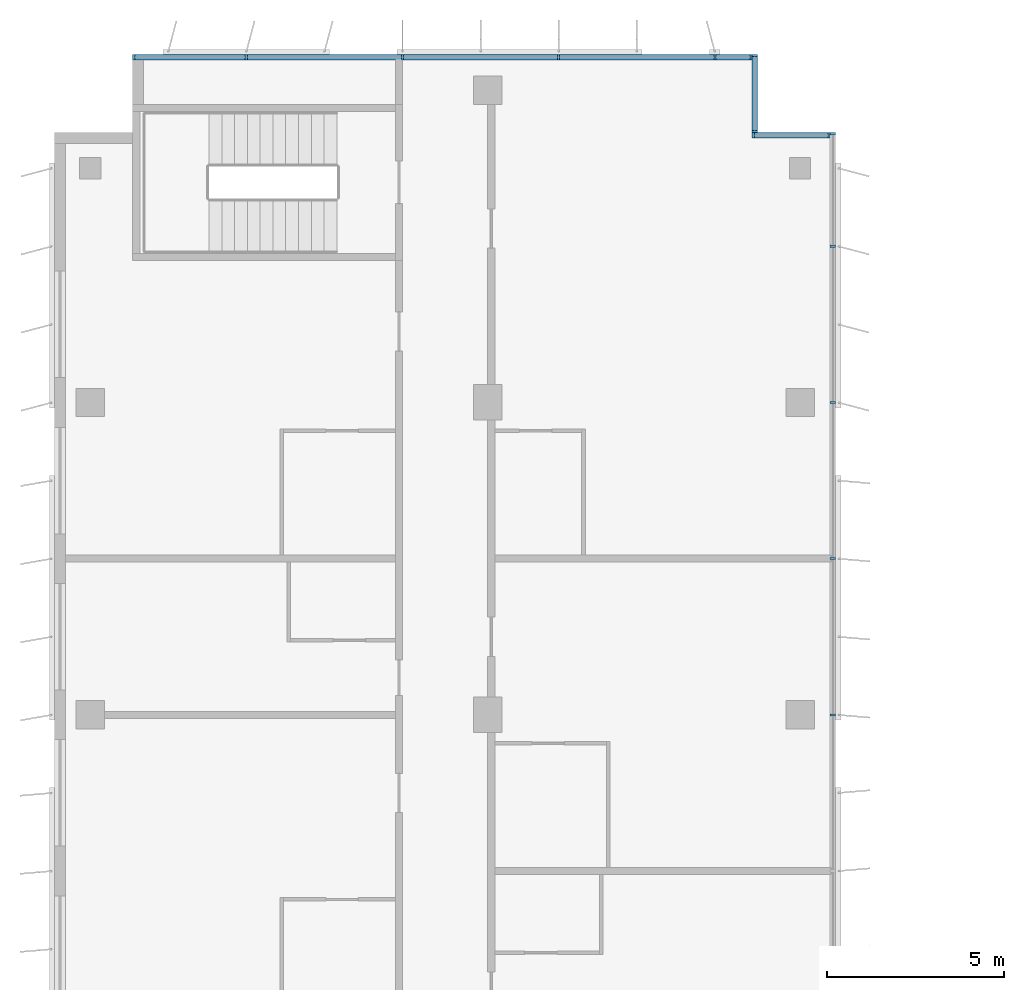
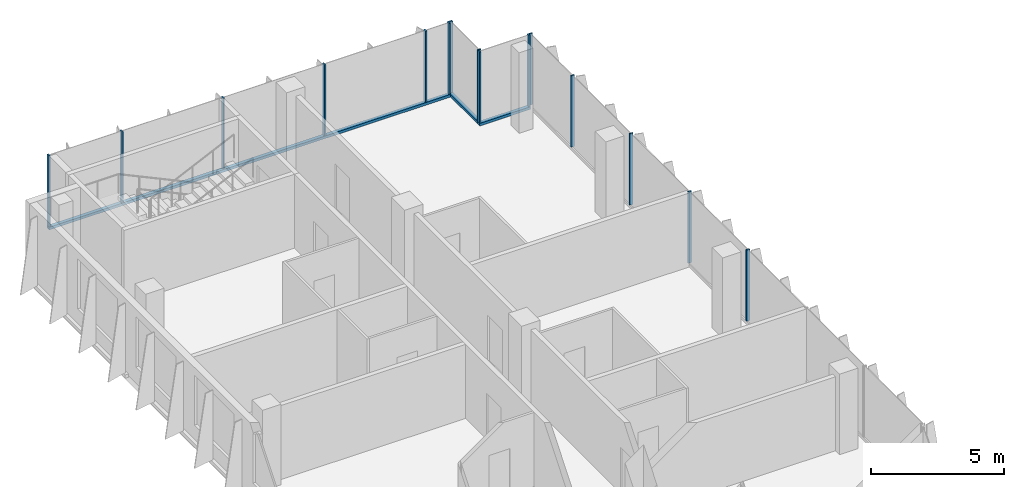
# One storey, part 6 of 15: 18 members, 4 elements without a shape of their own.
"""IFC4 building model written with IfcOpenShell, lengths in metres."""

from ifc_helpers import new_model, si_unit, direction, frame, origin, origin_2d, place, context, subcontext, project, spatial, rectangle, extrude, source, transform, mapped, material, material_profile, profile_set, type_object, element, aggregate, save


model = new_model("IFC4")

# Units and contexts
model_context = context("Model", 3, precision=1e-05, world=origin(), true_north=direction((0.0, 1.0)))
body_context = subcontext(model_context, "Body", "Model", "MODEL_VIEW")
ifc_project = project(units=[si_unit("LENGTHUNIT", "METRE"), si_unit("AREAUNIT", "SQUARE_METRE"), si_unit("VOLUMEUNIT", "CUBIC_METRE"), si_unit("PLANEANGLEUNIT", "RADIAN"), si_unit("MASSUNIT", "GRAM", prefix="KILO")], contexts=[model_context])

# Site, building, storey
site_placement = place(None, origin())
site = spatial("IfcSite", under=ifc_project, at=site_placement, CompositionType="ELEMENT")
building_placement = place(site_placement, origin())
building = spatial("IfcBuilding", under=site, at=building_placement, Name="Kemantara Hotel Tower", CompositionType="ELEMENT")
storey_placement = place(building_placement, frame((0.0, 0.0, 268.5)))
storey = spatial("IfcBuildingStorey", under=building, at=storey_placement, Name="L67", CompositionType="ELEMENT", Elevation=268.5)

# Curtain wall, member
ifc_material_1 = material(Name="Low-E tinted double insulated glass 36 mm", Category="glass")
curtain_wall_type = type_object("IfcCurtainWallType", Name="TOWER CURTAIN WALL, FRONT FACES", PredefinedType="USERDEFINED", material=ifc_material_1)
curtain_wall_1_placement = place(storey_placement, origin())
curtain_wall_1 = element("IfcCurtainWall", 1, at=curtain_wall_1_placement, inside=storey, type_object=curtain_wall_type, Name="CW4 L67 T4-R02-1", ObjectType="TOWER CURTAIN WALL, FRONT FACES", PredefinedType="USERDEFINED")
ifc_material_2 = material(Name="Aluminium 6063-T6 bronze anodised", Category="aluminium")
ifc_material_profile_1 = material_profile(ifc_material_2, rectangle(XDim=0.14990234375, YDim=0.1201171875, at=origin_2d()), Name="TOWER CURTAIN WALL, FRONT FACES TRANSOM")
ifc_profile_set_1 = profile_set([ifc_material_profile_1], Name="Aluminium 6063-T6 bronze anodised")
member_type_1 = type_object("IfcMemberType", Name="TOWER CURTAIN WALL, FRONT FACES TRANSOM", PredefinedType="USERDEFINED", material=ifc_profile_set_1)
member_1_placement = place(storey_placement, frame((19.64990234375, 63.52490234375, 0.06005859375), z_axis=(-1.0, 0.0, 0.0), x_axis=(0.0, -1.0, 0.0)))
member_1 = element("IfcMember", 2, at=member_1_placement, type_object=member_type_1, Name="CW4 sill transom T4-R02-1", ObjectType="TRANSOM", PredefinedType="USERDEFINED", context=body_context, shape_type="SweptSolid", body=[
    extrude(rectangle(XDim=0.14990234375, YDim=0.1201171875, at=origin_2d()), origin(), (0.0, 0.0, 1.0), 17.449951171875),
])

curtain_wall_2_placement = place(storey_placement, origin())
curtain_wall_2 = element("IfcCurtainWall", 3, at=curtain_wall_2_placement, inside=storey, type_object=curtain_wall_type, Name="CW4 L67 T4-R00-1", ObjectType="TOWER CURTAIN WALL, FRONT FACES", PredefinedType="USERDEFINED")
member_2_placement = place(storey_placement, frame((21.85009765625, 61.324951171875, 0.06005859375), z_axis=(-1.0, 0.0, 0.0), x_axis=(0.0, -1.0, 0.0)))
member_2 = element("IfcMember", 4, at=member_2_placement, type_object=member_type_1, Name="CW4 sill transom T4-R00-1", ObjectType="TRANSOM", PredefinedType="USERDEFINED", context=body_context, shape_type="SweptSolid", body=[
    extrude(rectangle(XDim=0.14990234375, YDim=0.1201171875, at=origin_2d()), origin(), (0.0, 0.0, 1.0), 2.2001953125),
])

curtain_wall_3_placement = place(storey_placement, origin())
curtain_wall_3 = element("IfcCurtainWall", 5, at=curtain_wall_3_placement, inside=storey, type_object=curtain_wall_type, Name="CW4 L67 T4-R01-1", ObjectType="TOWER CURTAIN WALL, FRONT FACES", PredefinedType="USERDEFINED")
member_3_placement = place(storey_placement, frame((19.72509765625, 61.39990234375, 0.06005859375), z_axis=(0.0, 1.0, 0.0), x_axis=(-1.0, 0.0, 0.0)))
member_3 = element("IfcMember", 6, at=member_3_placement, type_object=member_type_1, Name="CW4 sill transom T4-R01-1", ObjectType="TRANSOM", PredefinedType="USERDEFINED", context=body_context, shape_type="SweptSolid", body=[
    extrude(rectangle(XDim=0.14990234375, YDim=0.1201171875, at=origin_2d()), origin(), (0.0, 0.0, 1.0), 2.2001953125),
])

# Member
ifc_material_profile_2 = material_profile(ifc_material_2, rectangle(XDim=0.14990234375, YDim=0.06005859375, at=origin_2d()), Name="TOWER CURTAIN WALL, FRONT FACES MULLION")
ifc_profile_set_2 = profile_set([ifc_material_profile_2], Name="Aluminium 6063-T6 bronze anodised")
member_type_2 = type_object("IfcMemberType", Name="TOWER CURTAIN WALL, FRONT FACES MULLION", PredefinedType="MULLION", material=ifc_profile_set_2)
shared_shape = source(origin(), body_context, "Body", "SweptSolid", [
    extrude(rectangle(XDim=0.14990234375, YDim=0.06005859375, at=origin_2d()), origin(), (0.0, 0.0, 1.0), 3.27978515625),
])
member_4_placement = place(storey_placement, frame((19.6201171875, 63.52490234375, 0.1201171875), z_axis=(0.0, 0.0, 1.0), x_axis=(0.0, -1.0, 0.0)))
member_4 = element("IfcMember", 7, at=member_4_placement, type_object=member_type_2, Name="CW4 mullion T4-R02-1.1", PredefinedType="MULLION", context=body_context, shape_type="MappedRepresentation", body=[
    mapped(shared_shape, transform((0.0, 0.0, 0.0))),
])

member_5_placement = place(storey_placement, frame((18.60009765625, 63.52490234375, 0.1201171875), z_axis=(0.0, 0.0, 1.0), x_axis=(0.0, -1.0, 0.0)))
member_5 = element("IfcMember", 8, at=member_5_placement, type_object=member_type_2, Name="CW4 mullion T4-R02-1.2", PredefinedType="MULLION", context=body_context, shape_type="MappedRepresentation", body=[
    mapped(shared_shape, transform((0.0, 0.0, 0.0))),
])

member_6_placement = place(storey_placement, frame((14.199951171875, 63.52490234375, 0.1201171875), z_axis=(0.0, 0.0, 1.0), x_axis=(0.0, -1.0, 0.0)))
member_6 = element("IfcMember", 9, at=member_6_placement, type_object=member_type_2, Name="CW4 mullion T4-R02-1.3", PredefinedType="MULLION", context=body_context, shape_type="MappedRepresentation", body=[
    mapped(shared_shape, transform((0.0, 0.0, 0.0))),
])

member_7_placement = place(storey_placement, frame((9.800048828125, 63.52490234375, 0.1201171875), z_axis=(0.0, 0.0, 1.0), x_axis=(0.0, -1.0, 0.0)))
member_7 = element("IfcMember", 10, at=member_7_placement, type_object=member_type_2, Name="CW4 mullion T4-R02-1.4", PredefinedType="MULLION", context=body_context, shape_type="MappedRepresentation", body=[
    mapped(shared_shape, transform((0.0, 0.0, 0.0))),
])

member_8_placement = place(storey_placement, frame((5.39990234375, 63.52490234375, 0.1201171875), z_axis=(0.0, 0.0, 1.0), x_axis=(0.0, -1.0, 0.0)))
member_8 = element("IfcMember", 11, at=member_8_placement, type_object=member_type_2, Name="CW4 mullion T4-R02-1.5", PredefinedType="MULLION", context=body_context, shape_type="MappedRepresentation", body=[
    mapped(shared_shape, transform((0.0, 0.0, 0.0))),
])

member_9_placement = place(storey_placement, frame((2.22998046875, 63.52490234375, 0.1201171875), z_axis=(0.0, 0.0, 1.0), x_axis=(0.0, -1.0, 0.0)))
member_9 = element("IfcMember", 12, at=member_9_placement, type_object=member_type_2, Name="CW4 mullion T4-R02-1.6", PredefinedType="MULLION", context=body_context, shape_type="MappedRepresentation", body=[
    mapped(shared_shape, transform((0.0, 0.0, 0.0))),
])

aggregate(curtain_wall_1, [member_1, member_4, member_5, member_6, member_7, member_8, member_9])

# Curtain wall, members
curtain_wall_4_placement = place(storey_placement, origin())
curtain_wall_4 = element("IfcCurtainWall", 13, at=curtain_wall_4_placement, inside=storey, type_object=curtain_wall_type, Name="CW4 L67 T4-R15-1", ObjectType="TOWER CURTAIN WALL, FRONT FACES", PredefinedType="USERDEFINED")
member_10_placement = place(storey_placement, frame((21.925048828125, 45.0, 0.1201171875), z_axis=(0.0, 0.0, 1.0), x_axis=(-1.0, 0.0, 0.0)))
member_10 = element("IfcMember", 14, at=member_10_placement, type_object=member_type_2, Name="CW4 mullion T4-R15-1.6", PredefinedType="MULLION", context=body_context, shape_type="MappedRepresentation", body=[
    mapped(shared_shape, transform((0.0, 0.0, 0.0))),
])
member_11_placement = place(storey_placement, frame((21.925048828125, 49.39990234375, 0.1201171875), z_axis=(0.0, 0.0, 1.0), x_axis=(-1.0, 0.0, 0.0)))
member_11 = element("IfcMember", 15, at=member_11_placement, type_object=member_type_2, Name="CW4 mullion T4-R15-1.7", PredefinedType="MULLION", context=body_context, shape_type="MappedRepresentation", body=[
    mapped(shared_shape, transform((0.0, 0.0, 0.0))),
])
member_12_placement = place(storey_placement, frame((21.925048828125, 53.800048828125, 0.1201171875), z_axis=(0.0, 0.0, 1.0), x_axis=(-1.0, 0.0, 0.0)))
member_12 = element("IfcMember", 16, at=member_12_placement, type_object=member_type_2, Name="CW4 mullion T4-R15-1.8", PredefinedType="MULLION", context=body_context, shape_type="MappedRepresentation", body=[
    mapped(shared_shape, transform((0.0, 0.0, 0.0))),
])
member_13_placement = place(storey_placement, frame((21.925048828125, 58.199951171875, 0.1201171875), z_axis=(0.0, 0.0, 1.0), x_axis=(-1.0, 0.0, 0.0)))
member_13 = element("IfcMember", 17, at=member_13_placement, type_object=member_type_2, Name="CW4 mullion T4-R15-1.9", PredefinedType="MULLION", context=body_context, shape_type="MappedRepresentation", body=[
    mapped(shared_shape, transform((0.0, 0.0, 0.0))),
])
member_14_placement = place(storey_placement, frame((21.925048828125, 61.3701171875, 0.1201171875), z_axis=(0.0, 0.0, 1.0), x_axis=(-1.0, 0.0, 0.0)))
member_14 = element("IfcMember", 18, at=member_14_placement, type_object=member_type_2, Name="CW4 mullion T4-R15-1.10", PredefinedType="MULLION", context=body_context, shape_type="MappedRepresentation", body=[
    mapped(shared_shape, transform((0.0, 0.0, 0.0))),
])
aggregate(curtain_wall_4, [member_10, member_11, member_12, member_13, member_14])

# Member
member_15_placement = place(storey_placement, frame((21.820068359375, 61.324951171875, 0.1201171875), z_axis=(0.0, 0.0, 1.0), x_axis=(0.0, -1.0, 0.0)))
member_15 = element("IfcMember", 19, at=member_15_placement, type_object=member_type_2, Name="CW4 mullion T4-R00-1.1", PredefinedType="MULLION", context=body_context, shape_type="MappedRepresentation", body=[
    mapped(shared_shape, transform((0.0, 0.0, 0.0))),
])

member_16_placement = place(storey_placement, frame((19.679931640625, 61.324951171875, 0.1201171875), z_axis=(0.0, 0.0, 1.0), x_axis=(0.0, -1.0, 0.0)))
member_16 = element("IfcMember", 20, at=member_16_placement, type_object=member_type_2, Name="CW4 mullion T4-R00-1.2", PredefinedType="MULLION", context=body_context, shape_type="MappedRepresentation", body=[
    mapped(shared_shape, transform((0.0, 0.0, 0.0))),
])

aggregate(curtain_wall_2, [member_2, member_15, member_16])

member_17_placement = place(storey_placement, frame((19.72509765625, 61.429931640625, 0.1201171875), z_axis=(0.0, 0.0, 1.0), x_axis=(-1.0, 0.0, 0.0)))
member_17 = element("IfcMember", 21, at=member_17_placement, type_object=member_type_2, Name="CW4 mullion T4-R01-1.1", PredefinedType="MULLION", context=body_context, shape_type="MappedRepresentation", body=[
    mapped(shared_shape, transform((0.0, 0.0, 0.0))),
])

member_18_placement = place(storey_placement, frame((19.72509765625, 63.570068359375, 0.1201171875), z_axis=(0.0, 0.0, 1.0), x_axis=(-1.0, 0.0, 0.0)))
member_18 = element("IfcMember", 22, at=member_18_placement, type_object=member_type_2, Name="CW4 mullion T4-R01-1.2", PredefinedType="MULLION", context=body_context, shape_type="MappedRepresentation", body=[
    mapped(shared_shape, transform((0.0, 0.0, 0.0))),
])

aggregate(curtain_wall_3, [member_3, member_17, member_18])

save(model, "model.ifc")
